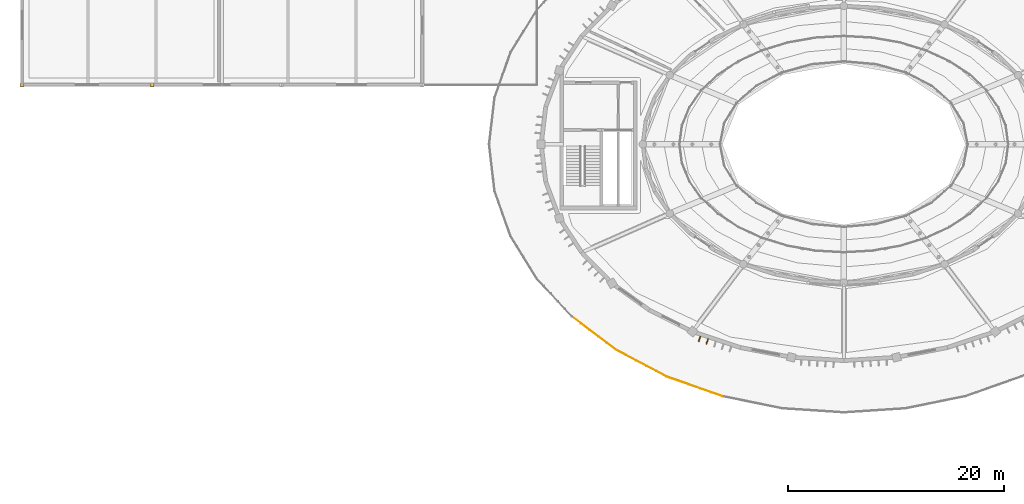
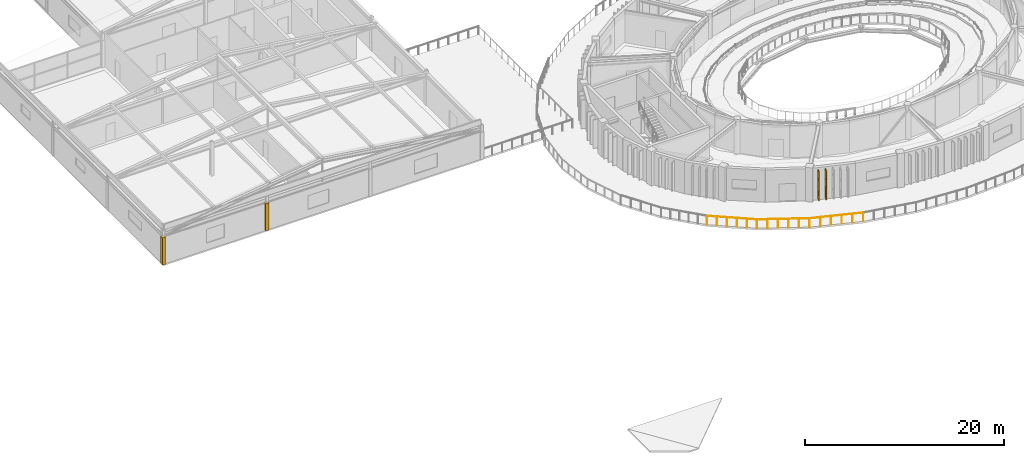
# One storey, part 53 of 63: 3 railings, 2 coverings, 2 shading devices.
"""IFC4 building model written with IfcOpenShell, lengths in metres."""

from ifc_helpers import new_model, si_unit, direction, frame, origin, origin_2d, place, context, subcontext, project, spatial, rectangle, circle, extrude, material, layer, layer_set, type_object, element, save


model = new_model("IFC4")

# Units and contexts
model_context = context("Model", 3, precision=1e-05, world=origin(), true_north=direction((0.0, 1.0)))
body_context = subcontext(model_context, "Body", "Model", "MODEL_VIEW")
ifc_project = project(units=[si_unit("LENGTHUNIT", "METRE"), si_unit("AREAUNIT", "SQUARE_METRE"), si_unit("VOLUMEUNIT", "CUBIC_METRE"), si_unit("PLANEANGLEUNIT", "RADIAN"), si_unit("MASSUNIT", "GRAM", prefix="KILO")], contexts=[model_context])

# Site, building, storey
site_placement = place(None, origin())
site = spatial("IfcSite", under=ifc_project, at=site_placement, CompositionType="ELEMENT")
building_placement = place(site_placement, origin())
building = spatial("IfcBuilding", under=site, at=building_placement, Name="Tarnveldt Headland Concert Hall", CompositionType="ELEMENT")
storey_placement = place(building_placement, frame((0.0, 0.0, 14.39990234375)))
storey = spatial("IfcBuildingStorey", under=building, at=storey_placement, Name="L03", CompositionType="ELEMENT", Elevation=14.39990234375)

# Coverings
ifc_material_1 = material(Name="Coral-toned precast concrete C40/50", Category="concrete")
ifc_layer_1 = layer(ifc_material_1, 0.360107421875, Name="Coral-toned precast concrete C40/50", Category="concrete")
ifc_layer_set_1 = layer_set([ifc_layer_1], Name="Coral-toned precast concrete C40/50")
covering_type = type_object("IfcCoveringType", Name="CV-JNT360", PredefinedType="CLADDING", material=ifc_layer_set_1)
for number, where, z_axis, x_axis, name in (
    (1, (7.5, 60.0, 0.0), (0.0, 0.0, 1.0), (-1.0, 0.0, 0.0), "Precast facade joint closure pilaster L03-301"),
    (2, (19.5, 60.0, 0.0), (0.0, 0.0, 1.0), (-1.0, 0.0, 0.0), "Precast facade joint closure pilaster L03-305"),
):
    element("IfcCovering", number, at=place(storey_placement, frame(where, z_axis=z_axis, x_axis=x_axis)), inside=storey, type_object=covering_type, Name=name, PredefinedType="CLADDING", context=body_context, shape_type="SweptSolid", body=[
        extrude(rectangle(XDim=0.3798828125, YDim=0.3798828125, at=origin_2d()), origin(), (0.0, 0.0, 1.0), 3.35009765625),
    ])

# Railings
ifc_material_2 = material(Name="Marine stainless steel", Category="steel")
ifc_layer_2 = layer(ifc_material_2, 0.074951171875, Name="Marine stainless steel", Category="steel")
ifc_layer_set_2 = layer_set([ifc_layer_2], Name="Marine stainless steel")
railing_type = type_object("IfcRailingType", Name="RL-BAL110", PredefinedType="BALUSTRADE", material=ifc_layer_set_2)
railing_1_placement = place(storey_placement, frame((58.373779296875, 38.558837890625, 0.0)))
element("IfcRailing", 3, at=railing_1_placement, inside=storey, type_object=railing_type, Name="GUARD Drum lookout terrace balustrade 23", PredefinedType="BALUSTRADE", context=body_context, shape_type="SweptSolid", body=[
    extrude(circle(Radius=0.02392578125, at=origin_2d()), frame((0.0, 0.0, 1.076171875), z_axis=(0.797664418204, -0.603101546948, 0.0), x_axis=(0.603101546948, 0.797664418204, 0.0)), (0.0, 0.0, 1.0), 5.068115234375),
    extrude(circle(Radius=0.02099609375, at=origin_2d()), origin(), (0.0, 0.0, 1.0), 1.052001953125),
    extrude(circle(Radius=0.02099609375, at=origin_2d()), frame((0.80859375, -0.611328125, 0.0)), (0.0, 0.0, 1.0), 1.052001953125),
    extrude(circle(Radius=0.02099609375, at=origin_2d()), frame((1.6171875, -1.22265625, 0.0)), (0.0, 0.0, 1.0), 1.052001953125),
    extrude(circle(Radius=0.02099609375, at=origin_2d()), frame((2.425537109375, -1.833984375, 0.0)), (0.0, 0.0, 1.0), 1.052001953125),
    extrude(circle(Radius=0.02099609375, at=origin_2d()), frame((3.234130859375, -2.4453125, 0.0)), (0.0, 0.0, 1.0), 1.052001953125),
    extrude(circle(Radius=0.02099609375, at=origin_2d()), frame((4.042724609375, -3.056640625, 0.0)), (0.0, 0.0, 1.0), 1.052001953125),
])
railing_2_placement = place(storey_placement, frame((62.41650390625, 35.502197265625, 0.0)))
element("IfcRailing", 4, at=railing_2_placement, inside=storey, type_object=railing_type, Name="GUARD Drum lookout terrace balustrade 24", PredefinedType="BALUSTRADE", context=body_context, shape_type="SweptSolid", body=[
    extrude(circle(Radius=0.02392578125, at=origin_2d()), frame((0.0, 0.0, 1.076171875), z_axis=(0.88379239872, -0.467879253617, 0.0), x_axis=(0.467879253617, 0.88379239872, 0.0)), (0.0, 0.0, 1.0), 5.29931640625),
    extrude(circle(Radius=0.02099609375, at=origin_2d()), origin(), (0.0, 0.0, 1.0), 1.052001953125),
    extrude(circle(Radius=0.02099609375, at=origin_2d()), frame((0.936767578125, -0.495849609375, 0.0)), (0.0, 0.0, 1.0), 1.052001953125),
    extrude(circle(Radius=0.02099609375, at=origin_2d()), frame((1.87353515625, -0.99169921875, 0.0)), (0.0, 0.0, 1.0), 1.052001953125),
    extrude(circle(Radius=0.02099609375, at=origin_2d()), frame((2.81005859375, -1.48779296875, 0.0)), (0.0, 0.0, 1.0), 1.052001953125),
    extrude(circle(Radius=0.02099609375, at=origin_2d()), frame((3.746826171875, -1.983642578125, 0.0)), (0.0, 0.0, 1.0), 1.052001953125),
    extrude(circle(Radius=0.02099609375, at=origin_2d()), frame((4.68359375, -2.4794921875, 0.0)), (0.0, 0.0, 1.0), 1.052001953125),
])
railing_3_placement = place(storey_placement, frame((67.10009765625, 33.022705078125, 0.0)))
element("IfcRailing", 5, at=railing_3_placement, inside=storey, type_object=railing_type, Name="GUARD Drum lookout terrace balustrade 25", PredefinedType="BALUSTRADE", context=body_context, shape_type="SweptSolid", body=[
    extrude(circle(Radius=0.02392578125, at=origin_2d()), frame((0.0, 0.0, 1.076171875), z_axis=(0.943085453999, -0.332550487077, 0.0), x_axis=(0.332550487077, 0.943085453999, 0.0)), (0.0, 0.0, 1.0), 5.494384765625),
    extrude(circle(Radius=0.02099609375, at=origin_2d()), origin(), (0.0, 0.0, 1.0), 1.052001953125),
    extrude(circle(Radius=0.02099609375, at=origin_2d()), frame((1.036376953125, -0.365478515625, 0.0)), (0.0, 0.0, 1.0), 1.052001953125),
    extrude(circle(Radius=0.02099609375, at=origin_2d()), frame((2.07275390625, -0.73095703125, 0.0)), (0.0, 0.0, 1.0), 1.052001953125),
    extrude(circle(Radius=0.02099609375, at=origin_2d()), frame((3.10888671875, -1.09619140625, 0.0)), (0.0, 0.0, 1.0), 1.052001953125),
    extrude(circle(Radius=0.02099609375, at=origin_2d()), frame((4.145263671875, -1.461669921875, 0.0)), (0.0, 0.0, 1.0), 1.052001953125),
    extrude(circle(Radius=0.02099609375, at=origin_2d()), frame((5.181640625, -1.8271484375, 0.0)), (0.0, 0.0, 1.0), 1.052001953125),
])

# Shading devices
ifc_material_3 = material(Name="Terracotta-anodised aluminium EN AW-6063-T6", Category="masonry")
shading_device_type = type_object("IfcShadingDeviceType", Name="SD-FIN520", PredefinedType="USERDEFINED", material=ifc_material_3)
for number, where, z_axis, x_axis, name in (
    (6, (70.152587890625, 36.5087890625, 0.25), (0.0, 0.0, 1.0), (-0.315980237922, -0.948765771538, 0.0), "Drum terracotta acoustic solar fin L03-59"),
    (7, (70.8642578125, 36.27197265625, 0.25), (0.0, 0.0, 1.0), (-0.315980237922, -0.948765771538, 0.0), "Drum terracotta acoustic solar fin L03-60"),
):
    element("IfcShadingDevice", number, at=place(storey_placement, frame(where, z_axis=z_axis, x_axis=x_axis)), inside=storey, type_object=shading_device_type, Name=name, ObjectType="FIN", PredefinedType="USERDEFINED", context=body_context, shape_type="SweptSolid", body=[
        extrude(rectangle(XDim=0.52001953125, YDim=0.080078125, at=origin_2d()), origin(), (0.0, 0.0, 1.0), 3.5),
    ])

save(model, "model.ifc")
